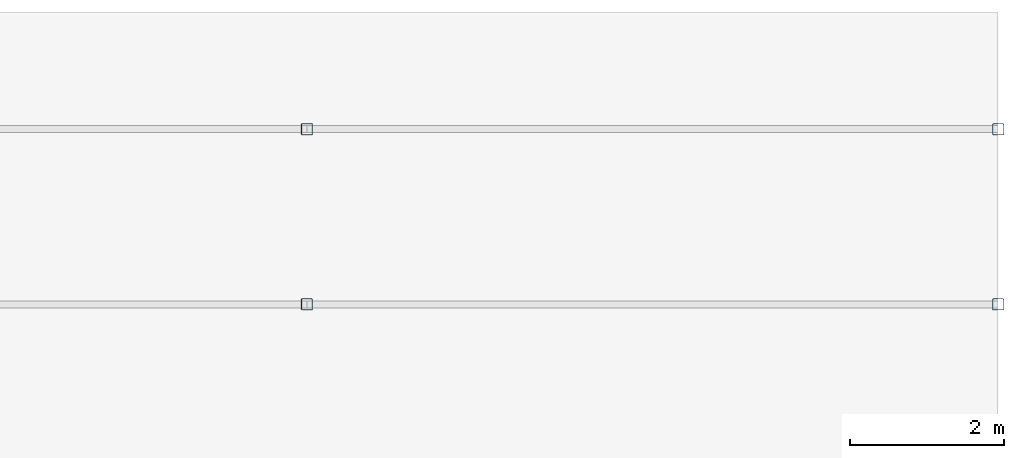
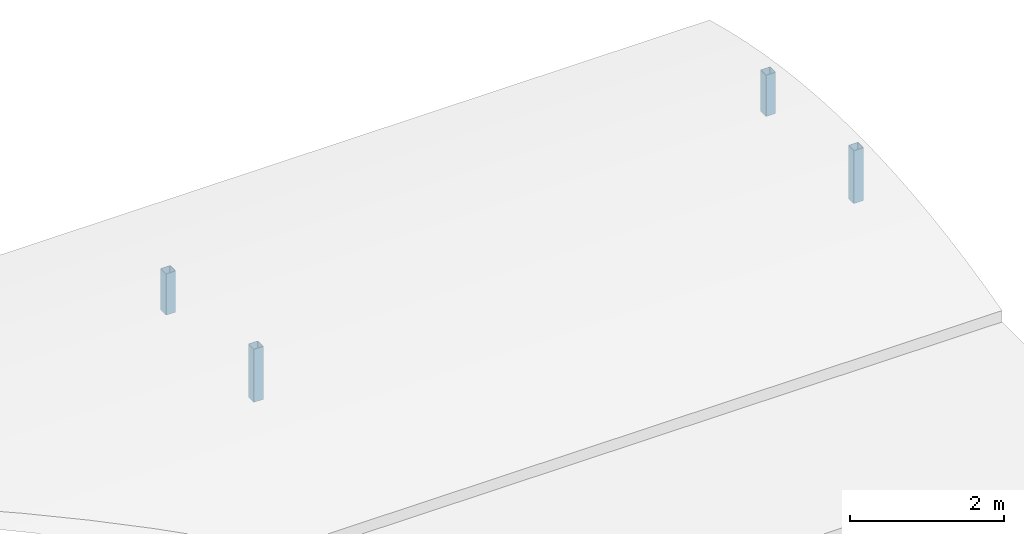
# One storey, part 37 of 46: 4 members.
"""IFC4 building model written with IfcOpenShell, lengths in metres."""

from ifc_helpers import new_model, si_unit, direction, frame, origin, origin_2d, place, context, subcontext, project, spatial, hollow_rectangle, extrude, material, material_profile, profile_set, type_object, element, save


model = new_model("IFC4")

# Units and contexts
model_context = context("Model", 3, precision=1e-05, world=origin(), true_north=direction((0.0, 1.0)))
body_context = subcontext(model_context, "Body", "Model", "MODEL_VIEW")
ifc_project = project(units=[si_unit("LENGTHUNIT", "METRE"), si_unit("AREAUNIT", "SQUARE_METRE"), si_unit("VOLUMEUNIT", "CUBIC_METRE"), si_unit("PLANEANGLEUNIT", "RADIAN"), si_unit("MASSUNIT", "GRAM", prefix="KILO")], contexts=[model_context])

# Site, building, storey
site_placement = place(None, origin())
site = spatial("IfcSite", under=ifc_project, at=site_placement, CompositionType="ELEMENT")
building_placement = place(site_placement, origin())
building = spatial("IfcBuilding", under=site, at=building_placement, Name="Shalkamar Park Central Library", CompositionType="ELEMENT")
storey_placement = place(building_placement, frame((0.0, 0.0, 20.39990234375)))
storey = spatial("IfcBuildingStorey", under=building, at=storey_placement, Name="L05", CompositionType="ELEMENT", Elevation=20.39990234375)

# Members
ifc_material = material(Name="Steel S355", Category="steel")
ifc_material_profile = material_profile(ifc_material, hollow_rectangle(XDim=0.14990234375, YDim=0.14990234375, WallThickness=0.008056640625, InnerFilletRadius=0.008056640625, OuterFilletRadius=0.011962890625, at=origin_2d()), Name="SHS 150x150x8")
ifc_profile_set = profile_set([ifc_material_profile], Name="Steel S355")
member_type = type_object("IfcMemberType", Name="Diagonal Brace SHS150", PredefinedType="BRACE", material=ifc_profile_set)
member_1_placement = place(storey_placement, frame((255.0, 312.199951171875, -0.35986328125), z_axis=(0.0, 0.0, 1.0), x_axis=(1.0, 0.0, 0.0)))
element("IfcMember", 1, at=member_1_placement, inside=storey, type_object=member_type, Name="Vault Arch Post BV-L04-N2-18.2", PredefinedType="BRACE", context=body_context, shape_type="SweptSolid", body=[
    extrude(hollow_rectangle(XDim=0.14990234375, YDim=0.14990234375, WallThickness=0.008056640625, InnerFilletRadius=0.008056640625, OuterFilletRadius=0.011962890625, at=origin_2d()), origin(), (0.0, 0.0, 1.0), 0.83984375),
])
member_2_placement = place(storey_placement, frame((255.0, 314.47998046875, -0.35986328125), z_axis=(0.0, 0.0, 1.0), x_axis=(1.0, 0.0, 0.0)))
element("IfcMember", 2, at=member_2_placement, inside=storey, type_object=member_type, Name="Vault Arch Post BV-L04-N2-18.3", PredefinedType="BRACE", context=body_context, shape_type="SweptSolid", body=[
    extrude(hollow_rectangle(XDim=0.14990234375, YDim=0.14990234375, WallThickness=0.008056640625, InnerFilletRadius=0.008056640625, OuterFilletRadius=0.011962890625, at=origin_2d()), origin(), (0.0, 0.0, 1.0), 0.65283203125),
])
member_3_placement = place(storey_placement, frame((264.0, 312.199951171875, -0.35986328125), z_axis=(0.0, 0.0, 1.0), x_axis=(1.0, 0.0, 0.0)))
element("IfcMember", 3, at=member_3_placement, inside=storey, type_object=member_type, Name="Vault Arch Post BV-L04-N2-19.2", PredefinedType="BRACE", context=body_context, shape_type="SweptSolid", body=[
    extrude(hollow_rectangle(XDim=0.14990234375, YDim=0.14990234375, WallThickness=0.008056640625, InnerFilletRadius=0.008056640625, OuterFilletRadius=0.011962890625, at=origin_2d()), origin(), (0.0, 0.0, 1.0), 0.83984375),
])
member_4_placement = place(storey_placement, frame((264.0, 314.47998046875, -0.35986328125), z_axis=(0.0, 0.0, 1.0), x_axis=(1.0, 0.0, 0.0)))
element("IfcMember", 4, at=member_4_placement, inside=storey, type_object=member_type, Name="Vault Arch Post BV-L04-N2-19.3", PredefinedType="BRACE", context=body_context, shape_type="SweptSolid", body=[
    extrude(hollow_rectangle(XDim=0.14990234375, YDim=0.14990234375, WallThickness=0.008056640625, InnerFilletRadius=0.008056640625, OuterFilletRadius=0.011962890625, at=origin_2d()), origin(), (0.0, 0.0, 1.0), 0.65283203125),
])

save(model, "model.ifc")
